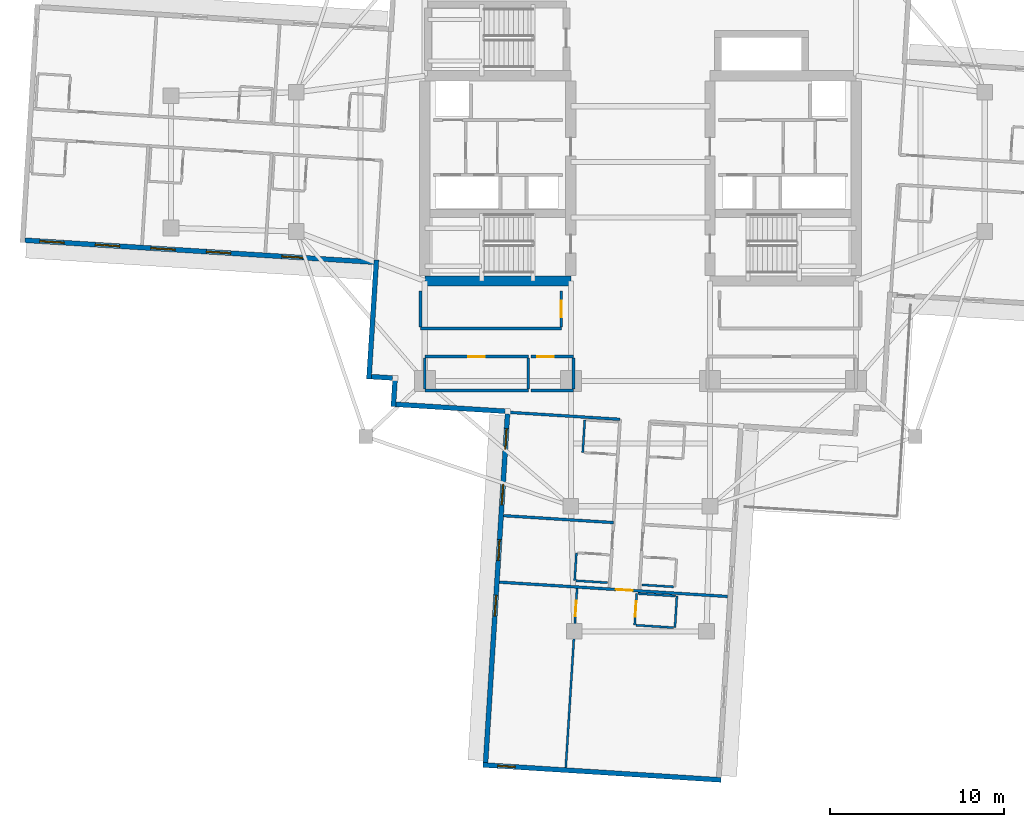
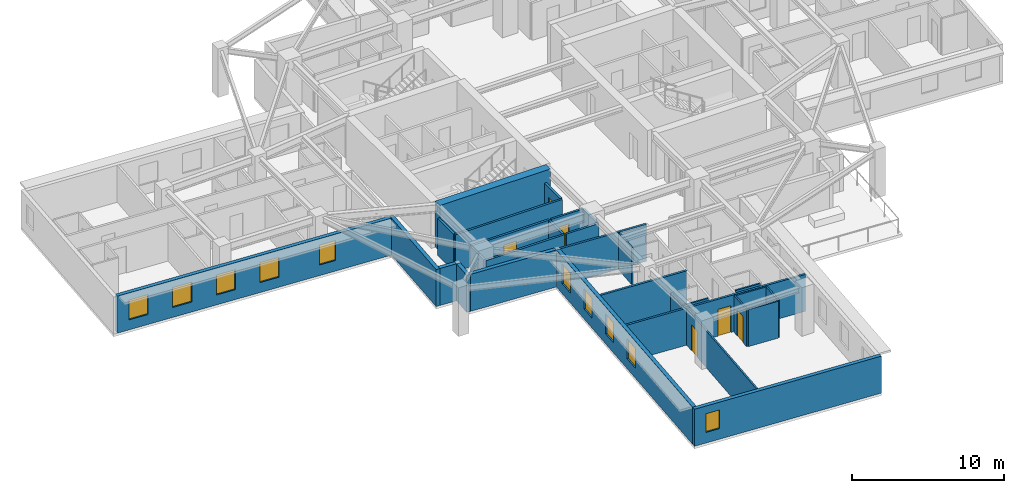
# One storey, part 3 of 14: 30 walls, 10 windows, 6 doors, 16 openings.
"""IFC4 building model written with IfcOpenShell, lengths in metres."""

from ifc_helpers import new_model, si_unit, direction, frame, frame_2d, origin, place, context, subcontext, project, spatial, rectangle, extrude, material, layer, layer_set, type_object, element, fill, save


model = new_model("IFC4")

# Units and contexts
model_context = context("Model", 3, precision=1e-05, world=origin(), true_north=direction((0.0, 1.0)))
body_context = subcontext(model_context, "Body", "Model", "MODEL_VIEW")
ifc_project = project(units=[si_unit("LENGTHUNIT", "METRE"), si_unit("AREAUNIT", "SQUARE_METRE"), si_unit("VOLUMEUNIT", "CUBIC_METRE"), si_unit("PLANEANGLEUNIT", "RADIAN"), si_unit("MASSUNIT", "GRAM", prefix="KILO")], contexts=[model_context])

# Site, building, storey
site_placement = place(None, origin())
site = spatial("IfcSite", under=ifc_project, at=site_placement, CompositionType="ELEMENT")
building_placement = place(site_placement, origin())
building = spatial("IfcBuilding", under=site, at=building_placement, Name="Qingluan Cross Belvedere", CompositionType="ELEMENT")
storey_placement = place(building_placement, frame((0.0, 0.0, 168.300048828125)))
storey = spatial("IfcBuildingStorey", under=building, at=storey_placement, Name="L42", CompositionType="ELEMENT", Elevation=168.300048828125)

# Walls
ifc_material_1 = material(Name="Concrete C60", Category="concrete")
ifc_layer_1 = layer(ifc_material_1, 0.60009765625, Name="CoreShearWall_600")
ifc_layer_set_1 = layer_set([ifc_layer_1], Name="Concrete C60")
wall_type_1 = type_object("IfcWallType", Name="CoreShearWall_600", PredefinedType="SHEAR", material=ifc_layer_set_1)
wall_1_placement = place(storey_placement, frame((-12.39990234375, -6.85009765625, 0.0), z_axis=(0.0, 0.0, 1.0), x_axis=(1.0, 0.0, 0.0)))
element("IfcWall", 1, at=wall_1_placement, inside=storey, type_object=wall_type_1, Name="Split core W shear wall L42-S", PredefinedType="SHEAR", context=body_context, shape_type="SweptSolid", body=[
    extrude(rectangle(XDim=8.39990234375, YDim=0.60009765625, at=frame_2d((4.199951171875, 0.0))), origin(), (0.0, 0.0, 1.0), 3.699951171875),
])
ifc_material_2 = material(Name="Gypsum plasterboard on steel stud acoustic partition", Category="steel")
ifc_layer_2 = layer(ifc_material_2, 0.159912109375, Name="CorridorPartition_160")
ifc_layer_set_2 = layer_set([ifc_layer_2], Name="Gypsum plasterboard on steel stud acoustic partition")
wall_type_2 = type_object("IfcWallType", Name="CorridorPartition_160", PredefinedType="PARTITIONING", material=ifc_layer_set_2)
wall_2_placement = place(storey_placement, frame((-12.39990234375, -13.14990234375, 0.0), z_axis=(0.0, 0.0, 1.0), x_axis=(1.0, 0.0, 0.0)))
element("IfcWall", 2, at=wall_2_placement, inside=storey, type_object=wall_type_2, Name="Partition L42:q_sw1:S", PredefinedType="PARTITIONING", context=body_context, shape_type="SweptSolid", body=[
    extrude(rectangle(XDim=5.949951171875, YDim=0.159912109375, at=frame_2d((2.97509765625, 0.0))), origin(), (0.0, 0.0, 1.0), 2.9599609375),
])

# Wall, opening, door
wall_3_placement = place(storey_placement, frame((-12.39990234375, -11.199951171875, 0.0), z_axis=(0.0, 0.0, 1.0), x_axis=(1.0, 0.0, 0.0)))
wall_3 = element("IfcWall", 3, at=wall_3_placement, inside=storey, type_object=wall_type_2, Name="Partition L42:q_sw1:N", PredefinedType="PARTITIONING", context=body_context, shape_type="SweptSolid", body=[
    extrude(rectangle(XDim=5.949951171875, YDim=0.159912109375, at=frame_2d((2.97509765625, 0.0))), origin(), (0.0, 0.0, 1.0), 2.9599609375),
])
opening_1_placement = place(wall_3_placement, frame((2.4951171875, 0.0, 0.0)))
opening_1 = element("IfcOpeningElement", 4, at=opening_1_placement, cuts=wall_3, Name="Opening GD-10", PredefinedType="OPENING", context=body_context, shape_type="SweptSolid", body=[
    extrude(rectangle(XDim=0.9599609375, YDim=2.14990234375, at=frame_2d((0.47998046875, 1.074951171875))), frame((0.0, 0.08984375, 0.0), z_axis=(0.0, -1.0, 0.0), x_axis=(1.0, 0.0, 0.0)), (0.0, 0.0, 1.0), 0.179931640625),
])
ifc_material_3 = material(Name="Timber oak fire-rated acoustic guestroom door", Category="wood")
door_type_1 = type_object("IfcDoorType", Name="GuestEntryDoor_FD60", OperationType="NOTDEFINED", PredefinedType="DOOR", material=ifc_material_3)
door_1_placement = place(opening_1_placement, origin())
door_1 = element("IfcDoor", 5, at=door_1_placement, inside=storey, type_object=door_type_1, Name="Massage treatment room L42 door", OperationType="SINGLE_SWING_LEFT", OverallHeight=2.14990234375, OverallWidth=0.9599609375, PredefinedType="DOOR", context=body_context, shape_type="SweptSolid", body=[
    extrude(rectangle(XDim=0.9599609375, YDim=2.14990234375, at=frame_2d((0.47998046875, 1.074951171875))), frame((0.0, 0.02490234375, 0.0), z_axis=(0.0, -1.0, 0.0), x_axis=(1.0, 0.0, 0.0)), (0.0, 0.0, 1.0), 0.050048828125),
])
fill(opening_1, door_1)

# Walls
for number, where, z_axis, x_axis, name in (
    (6, (-12.39990234375, -13.06494140625, 0.0), (0.0, 0.0, 1.0), (0.0, 1.0, 0.0), "Partition L42:q_sw1:W"),
    (7, (-6.449951171875, -13.06494140625, 0.0), (0.0, 0.0, 1.0), (0.0, 1.0, 0.0), "Partition L42:q_sw1:E"),
):
    element("IfcWall", number, at=place(storey_placement, frame(where, z_axis=z_axis, x_axis=x_axis)), inside=storey, type_object=wall_type_2, Name=name, PredefinedType="PARTITIONING", context=body_context, shape_type="SweptSolid", body=[
        extrude(rectangle(XDim=1.780029296875, YDim=0.159912109375, at=frame_2d((0.89013671875, 0.0))), origin(), (0.0, 0.0, 1.0), 2.9599609375),
    ])
wall_4_placement = place(storey_placement, frame((-6.2900390625, -13.14990234375, 0.0), z_axis=(0.0, 0.0, 1.0), x_axis=(1.0, 0.0, 0.0)))
element("IfcWall", 8, at=wall_4_placement, inside=storey, type_object=wall_type_2, Name="Partition L42:q_sw2:S", PredefinedType="PARTITIONING", context=body_context, shape_type="SweptSolid", body=[
    extrude(rectangle(XDim=2.43994140625, YDim=0.159912109375, at=frame_2d((1.219970703125, 0.0))), origin(), (0.0, 0.0, 1.0), 2.9599609375),
])

# Wall, opening, door
wall_5_placement = place(storey_placement, frame((-6.2900390625, -11.199951171875, 0.0), z_axis=(0.0, 0.0, 1.0), x_axis=(1.0, 0.0, 0.0)))
wall_5 = element("IfcWall", 9, at=wall_5_placement, inside=storey, type_object=wall_type_2, Name="Partition L42:q_sw2:N", PredefinedType="PARTITIONING", context=body_context, shape_type="SweptSolid", body=[
    extrude(rectangle(XDim=2.43994140625, YDim=0.159912109375, at=frame_2d((1.219970703125, 0.0))), origin(), (0.0, 0.0, 1.0), 2.9599609375),
])
opening_2_placement = place(wall_5_placement, frame((0.35009765625, 0.0, 0.0)))
opening_2 = element("IfcOpeningElement", 10, at=opening_2_placement, cuts=wall_5, Name="Opening GD-10", PredefinedType="OPENING", context=body_context, shape_type="SweptSolid", body=[
    extrude(rectangle(XDim=0.9599609375, YDim=2.14990234375, at=frame_2d((0.47998046875, 1.074951171875))), frame((0.0, 0.08984375, 0.0), z_axis=(0.0, -1.0, 0.0), x_axis=(1.0, 0.0, 0.0)), (0.0, 0.0, 1.0), 0.179931640625),
])
door_2_placement = place(opening_2_placement, origin())
door_2 = element("IfcDoor", 11, at=door_2_placement, inside=storey, type_object=door_type_1, Name="Southwest reading room L42 door", OperationType="SINGLE_SWING_RIGHT", OverallHeight=2.14990234375, OverallWidth=0.9599609375, PredefinedType="DOOR", context=body_context, shape_type="SweptSolid", body=[
    extrude(rectangle(XDim=0.9599609375, YDim=2.14990234375, at=frame_2d((0.47998046875, 1.074951171875))), frame((0.0, 0.02490234375, 0.0), z_axis=(0.0, -1.0, 0.0), x_axis=(1.0, 0.0, 0.0)), (0.0, 0.0, 1.0), 0.050048828125),
])
fill(opening_2, door_2)

# Walls
wall_6_placement = place(storey_placement, frame((-3.85009765625, -13.06494140625, 0.0), z_axis=(0.0, 0.0, 1.0), x_axis=(0.0, 1.0, 0.0)))
element("IfcWall", 12, at=wall_6_placement, inside=storey, type_object=wall_type_2, Name="Partition L42:q_sw2:E", PredefinedType="PARTITIONING", context=body_context, shape_type="SweptSolid", body=[
    extrude(rectangle(XDim=1.780029296875, YDim=0.159912109375, at=frame_2d((0.89013671875, 0.0))), origin(), (0.0, 0.0, 1.0), 2.9599609375),
])
wall_7_placement = place(storey_placement, frame((-12.64990234375, -9.580078125, 0.0), z_axis=(0.0, 0.0, 1.0), x_axis=(1.0, 0.0, 0.0)))
element("IfcWall", 13, at=wall_7_placement, inside=storey, type_object=wall_type_2, Name="Partition L42:rec_st4_w:S", PredefinedType="PARTITIONING", context=body_context, shape_type="SweptSolid", body=[
    extrude(rectangle(XDim=8.099853515625, YDim=0.159912109375, at=frame_2d((4.0498046875, 0.0))), origin(), (0.0, 0.0, 1.0), 2.9599609375),
])
wall_8_placement = place(storey_placement, frame((-12.64990234375, -9.4951171875, 0.0), z_axis=(0.0, 0.0, 1.0), x_axis=(0.0, 1.0, 0.0)))
element("IfcWall", 14, at=wall_8_placement, inside=storey, type_object=wall_type_2, Name="Partition L42:rec_st4_w:W", PredefinedType="PARTITIONING", context=body_context, shape_type="SweptSolid", body=[
    extrude(rectangle(XDim=2.06005859375, YDim=0.159912109375, at=frame_2d((1.030029296875, 0.0))), origin(), (0.0, 0.0, 1.0), 2.9599609375),
])

# Wall, opening, door
wall_9_placement = place(storey_placement, frame((-4.550048828125, -9.4951171875, 0.0), z_axis=(0.0, 0.0, 1.0), x_axis=(0.0, 1.0, 0.0)))
wall_9 = element("IfcWall", 15, at=wall_9_placement, inside=storey, type_object=wall_type_2, Name="Partition L42:rec_st4_w:E", PredefinedType="PARTITIONING", context=body_context, shape_type="SweptSolid", body=[
    extrude(rectangle(XDim=2.06005859375, YDim=0.159912109375, at=frame_2d((1.030029296875, 0.0))), origin(), (0.0, 0.0, 1.0), 2.9599609375),
])
opening_3_placement = place(wall_9_placement, frame((0.550048828125, 0.0, 0.0)))
opening_3 = element("IfcOpeningElement", 16, at=opening_3_placement, cuts=wall_9, Name="Opening GD-10", PredefinedType="OPENING", context=body_context, shape_type="SweptSolid", body=[
    extrude(rectangle(XDim=0.9599609375, YDim=2.14990234375, at=frame_2d((0.47998046875, 1.074951171875))), frame((0.0, 0.08984375, 0.0), z_axis=(0.0, -1.0, 0.0), x_axis=(1.0, 0.0, 0.0)), (0.0, 0.0, 1.0), 0.179931640625),
])
door_3_placement = place(opening_3_placement, origin())
door_3 = element("IfcDoor", 17, at=door_3_placement, inside=storey, type_object=door_type_1, Name="Southwest club reading room L42 door", OperationType="SINGLE_SWING_LEFT", OverallHeight=2.14990234375, OverallWidth=0.9599609375, PredefinedType="DOOR", context=body_context, shape_type="SweptSolid", body=[
    extrude(rectangle(XDim=0.9599609375, YDim=2.14990234375, at=frame_2d((0.47998046875, 1.074951171875))), frame((0.0, 0.02490234375, 0.0), z_axis=(0.0, -1.0, 0.0), x_axis=(1.0, 0.0, 0.0)), (0.0, 0.0, 1.0), 0.050048828125),
])
fill(opening_3, door_3)

# Walls
wall_10_placement = place(storey_placement, frame((-1.172119140625, -14.8056640625, 0.0), z_axis=(0.0, 0.0, 1.0), x_axis=(-0.998025657815, 0.06280753413, 0.0)))
element("IfcWall", 18, at=wall_10_placement, inside=storey, type_object=wall_type_2, Name="Partition L42:S:s1", PredefinedType="PARTITIONING", context=body_context, shape_type="SweptSolid", body=[
    extrude(rectangle(XDim=6.479736328125, YDim=0.159912109375, at=frame_2d((3.23974609375, 0.0))), origin(), (0.0, 0.0, 1.0), 2.9599609375),
])
wall_11_placement = place(storey_placement, frame((-1.545654296875, -20.743896484375, 0.0), z_axis=(0.0, 0.0, 1.0), x_axis=(-0.998025479614, 0.06281036572, 0.0)))
element("IfcWall", 19, at=wall_11_placement, inside=storey, type_object=wall_type_2, Name="Partition L42:S:d1_0", PredefinedType="PARTITIONING", context=body_context, shape_type="SweptSolid", body=[
    extrude(rectangle(XDim=6.331787109375, YDim=0.159912109375, at=frame_2d((3.166015625, 0.0))), origin(), (0.0, 0.0, 1.0), 2.9599609375),
])

# Wall, opening, door
wall_12_placement = place(storey_placement, frame((-8.10546875, -24.168701171875, 0.0), z_axis=(0.0, 0.0, 1.0), x_axis=(0.998026109115, -0.062800362452, 0.0)))
wall_12 = element("IfcWall", 20, at=wall_12_placement, inside=storey, type_object=wall_type_2, Name="Partition L42:Scap:in", PredefinedType="PARTITIONING", context=body_context, shape_type="SweptSolid", body=[
    extrude(rectangle(XDim=13.143798828125, YDim=0.159912109375, at=frame_2d((6.57177734375, 0.0))), origin(), (0.0, 0.0, 1.0), 2.9599609375),
])
opening_4_placement = place(wall_12_placement, frame((6.7119140625, 0.0, 0.0)))
opening_4 = element("IfcOpeningElement", 21, at=opening_4_placement, cuts=wall_12, Name="Opening GD-10", PredefinedType="OPENING", context=body_context, shape_type="SweptSolid", body=[
    extrude(rectangle(XDim=0.9599609375, YDim=2.14990234375, at=frame_2d((0.47998046875, 1.074951171875))), frame((0.0, 0.08984375, 0.0), z_axis=(0.0, -1.0, 0.0), x_axis=(1.0, 0.0, 0.0)), (0.0, 0.0, 1.0), 0.179931640625),
])
door_4_placement = place(opening_4_placement, origin())
door_4 = element("IfcDoor", 22, at=door_4_placement, inside=storey, type_object=door_type_1, Name="Horizon corner suite door L42S", OperationType="SINGLE_SWING_LEFT", OverallHeight=2.14990234375, OverallWidth=0.9599609375, PredefinedType="DOOR", context=body_context, shape_type="SweptSolid", body=[
    extrude(rectangle(XDim=0.9599609375, YDim=2.14990234375, at=frame_2d((0.47998046875, 1.074951171875))), frame((0.0, 0.02490234375, 0.0), z_axis=(0.0, -1.0, 0.0), x_axis=(1.0, 0.0, 0.0)), (0.0, 0.0, 1.0), 0.050048828125),
])
fill(opening_4, door_4)

# Walls
ifc_material_4 = material(Name="Moisture-resistant gypsum board lining")
ifc_layer_3 = layer(ifc_material_4, 0.1201171875, Name="EnsuiteWetPartition_120")
ifc_layer_set_3 = layer_set([ifc_layer_3], Name="Moisture-resistant gypsum board lining")
wall_type_3 = type_object("IfcWallType", Name="EnsuiteWetPartition_120", PredefinedType="PARTITIONING", material=ifc_layer_set_3)
wall_13_placement = place(storey_placement, frame((0.093017578125, -24.32373046875, 0.0), z_axis=(0.0, 0.0, 1.0), x_axis=(0.998026915151, -0.062787551592, 0.0)))
element("IfcWall", 23, at=wall_13_placement, inside=storey, type_object=wall_type_3, Name="Partition L42:S:bw0_1", PredefinedType="PARTITIONING", context=body_context, shape_type="SweptSolid", body=[
    extrude(rectangle(XDim=1.81982421875, YDim=0.1201171875, at=frame_2d((0.909912109375, 0.0))), origin(), (0.0, 0.0, 1.0), 2.9599609375),
])
wall_14_placement = place(storey_placement, frame((-3.202880859375, -14.838134765625, 0.0), z_axis=(0.0, 0.0, 1.0), x_axis=(-0.062847152131, -0.998023163794, 0.0)))
element("IfcWall", 24, at=wall_14_placement, inside=storey, type_object=wall_type_3, Name="Partition L42:S:bc1_0", PredefinedType="PARTITIONING", context=body_context, shape_type="SweptSolid", body=[
    extrude(rectangle(XDim=1.880126953125, YDim=0.1201171875, at=frame_2d((0.93994140625, 0.0))), origin(), (0.0, 0.0, 1.0), 2.9599609375),
])
wall_15_placement = place(storey_placement, frame((-3.719482421875, -24.083984375, 0.0), z_axis=(0.0, 0.0, 1.0), x_axis=(0.998026915151, -0.062787551592, 0.0)))
element("IfcWall", 25, at=wall_15_placement, inside=storey, type_object=wall_type_3, Name="Partition L42:S:bw1_1", PredefinedType="PARTITIONING", context=body_context, shape_type="SweptSolid", body=[
    extrude(rectangle(XDim=1.81982421875, YDim=0.1201171875, at=frame_2d((0.909912109375, 0.0))), origin(), (0.0, 0.0, 1.0), 2.9599609375),
])
wall_16_placement = place(storey_placement, frame((-3.68408203125, -22.48291015625, 0.0), z_axis=(0.0, 0.0, 1.0), x_axis=(-0.06271075472, -0.998031743605, 0.0)))
element("IfcWall", 26, at=wall_16_placement, inside=storey, type_object=wall_type_3, Name="Partition L42:S:bc1_1", PredefinedType="PARTITIONING", context=body_context, shape_type="SweptSolid", body=[
    extrude(rectangle(XDim=1.60009765625, YDim=0.1201171875, at=frame_2d((0.800048828125, 0.0))), origin(), (0.0, 0.0, 1.0), 2.9599609375),
])

# Wall, opening, door
wall_17_placement = place(storey_placement, frame((-3.64794921875, -24.539306640625, 0.0), z_axis=(0.0, 0.0, 1.0), x_axis=(-0.062786562543, -0.998026977373, 0.0)))
wall_17 = element("IfcWall", 27, at=wall_17_placement, inside=storey, type_object=wall_type_3, Name="Partition L42:Scap:m2", PredefinedType="PARTITIONING", context=body_context, shape_type="SweptSolid", body=[
    extrude(rectangle(XDim=10.31201171875, YDim=0.1201171875, at=frame_2d((5.156005859375, 0.0))), origin(), (0.0, 0.0, 1.0), 2.9599609375),
])
opening_5_placement = place(wall_17_placement, frame((0.699951171875, 0.0, 0.0)))
opening_5 = element("IfcOpeningElement", 28, at=opening_5_placement, cuts=wall_17, Name="Opening BD-89", PredefinedType="OPENING", context=body_context, shape_type="SweptSolid", body=[
    extrude(rectangle(XDim=0.89990234375, YDim=2.10009765625, at=frame_2d((0.449951171875, 1.050048828125))), frame((0.0, 0.070068359375, 0.0), z_axis=(0.0, -1.0, 0.0), x_axis=(1.0, 0.0, 0.0)), (0.0, 0.0, 1.0), 0.14013671875),
])
ifc_material_5 = material(Name="Timber acoustic study door", Category="wood")
door_type_2 = type_object("IfcDoorType", Name="SuiteStudyDoor_900", OperationType="NOTDEFINED", PredefinedType="DOOR", material=ifc_material_5)
door_5_placement = place(opening_5_placement, origin())
door_5 = element("IfcDoor", 29, at=door_5_placement, inside=storey, type_object=door_type_2, Name="Suite private study door L42S", OperationType="SINGLE_SWING_LEFT", OverallHeight=2.10009765625, OverallWidth=0.89990234375, PredefinedType="DOOR", context=body_context, shape_type="SweptSolid", body=[
    extrude(rectangle(XDim=0.89990234375, YDim=2.10009765625, at=frame_2d((0.449951171875, 1.050048828125))), frame((0.0, 0.02490234375, 0.0), z_axis=(0.0, -1.0, 0.0), x_axis=(1.0, 0.0, 0.0)), (0.0, 0.0, 1.0), 0.050048828125),
])
fill(opening_5, door_5)

wall_18_placement = place(storey_placement, frame((-0.21923828125, -24.8251953125, 0.0), z_axis=(0.0, 0.0, 1.0), x_axis=(-0.062779145668, -0.998027443946, 0.0)))
wall_18 = element("IfcWall", 30, at=wall_18_placement, inside=storey, type_object=wall_type_3, Name="Partition L42:Scap:b2s", PredefinedType="PARTITIONING", context=body_context, shape_type="SweptSolid", body=[
    extrude(rectangle(XDim=1.820068359375, YDim=0.1201171875, at=frame_2d((0.91015625, 0.0))), origin(), (0.0, 0.0, 1.0), 2.9599609375),
])
opening_6_placement = place(wall_18_placement, frame((0.449951171875, 0.0, 0.0)))
opening_6 = element("IfcOpeningElement", 31, at=opening_6_placement, cuts=wall_18, Name="Opening BD-09", PredefinedType="OPENING", context=body_context, shape_type="SweptSolid", body=[
    extrude(rectangle(XDim=0.8798828125, YDim=2.10009765625, at=frame_2d((0.43994140625, 1.050048828125))), frame((0.0, 0.070068359375, 0.0), z_axis=(0.0, -1.0, 0.0), x_axis=(1.0, 0.0, 0.0)), (0.0, 0.0, 1.0), 0.14013671875),
])
ifc_material_6 = material(Name="Moisture-sealed timber en-suite door", Category="wood")
door_type_3 = type_object("IfcDoorType", Name="BathroomDoor_880", OperationType="NOTDEFINED", PredefinedType="DOOR", material=ifc_material_6)
door_6_placement = place(opening_6_placement, origin())
door_6 = element("IfcDoor", 32, at=door_6_placement, inside=storey, type_object=door_type_3, Name="En-suite bathroom door L42S", OperationType="SINGLE_SWING_RIGHT", OverallHeight=2.10009765625, OverallWidth=0.8798828125, PredefinedType="DOOR", context=body_context, shape_type="SweptSolid", body=[
    extrude(rectangle(XDim=0.8798828125, YDim=2.10009765625, at=frame_2d((0.43994140625, 1.050048828125))), frame((0.0, 0.02490234375, 0.0), z_axis=(0.0, -1.0, 0.0), x_axis=(1.0, 0.0, 0.0)), (0.0, 0.0, 1.0), 0.050048828125),
])
fill(opening_6, door_6)

# Walls
wall_19_placement = place(storey_placement, frame((2.09619140625, -24.970947265625, 0.0), z_axis=(0.0, 0.0, 1.0), x_axis=(-0.062779145668, -0.998027443946, 0.0)))
element("IfcWall", 33, at=wall_19_placement, inside=storey, type_object=wall_type_3, Name="Partition L42:Scap:b2b", PredefinedType="PARTITIONING", context=body_context, shape_type="SweptSolid", body=[
    extrude(rectangle(XDim=1.820068359375, YDim=0.1201171875, at=frame_2d((0.91015625, 0.0))), origin(), (0.0, 0.0, 1.0), 2.9599609375),
])
for number, where, z_axis, x_axis, name in (
    (34, (-0.1494140625, -24.82958984375, 0.0), (0.0, 0.0, 1.0), (0.998024591026, -0.062824483344, 0.0), "Partition L42:Scap:b2a"),
    (35, (-0.263671875, -26.64599609375, 0.0), (0.0, 0.0, 1.0), (0.998024591026, -0.062824483344, 0.0), "Partition L42:Scap:b2n"),
):
    element("IfcWall", number, at=place(storey_placement, frame(where, z_axis=z_axis, x_axis=x_axis)), inside=storey, type_object=wall_type_3, Name=name, PredefinedType="PARTITIONING", context=body_context, shape_type="SweptSolid", body=[
        extrude(rectangle(XDim=2.18017578125, YDim=0.1201171875, at=frame_2d((1.090087890625, 0.0))), origin(), (0.0, 0.0, 1.0), 2.9599609375),
    ])

# Wall, openings, windows
ifc_material_7 = material(Name="Precast concrete C45", Category="concrete")
ifc_layer_4 = layer(ifc_material_7, 0.280029296875, Name="PrecastFacadeWall_280")
ifc_layer_set_4 = layer_set([ifc_layer_4], Name="Precast concrete C45")
wall_type_4 = type_object("IfcWallType", Name="PrecastFacadeWall_280", PredefinedType="STANDARD", material=ifc_layer_set_4)
wall_20_placement = place(storey_placement, frame((-35.392822265625, -4.506591796875, 0.0), z_axis=(0.0, 0.0, 1.0), x_axis=(0.998027116198, -0.062784355807, 0.0)))
wall_20 = element("IfcWall", 36, at=wall_20_placement, inside=storey, type_object=wall_type_4, Name="Facade wall L42-WB", PredefinedType="STANDARD", context=body_context, shape_type="SweptSolid", body=[
    extrude(rectangle(XDim=20.099853515625, YDim=0.280029296875, at=frame_2d((10.0498046875, 0.0))), origin(), (0.0, 0.0, 1.0), 2.969970703125),
])
opening_7_placement = place(wall_20_placement, frame((0.85009765625, 0.0, 0.800048828125)))
opening_7 = element("IfcOpeningElement", 37, at=opening_7_placement, cuts=wall_20, Name="Opening W-01", PredefinedType="OPENING", context=body_context, shape_type="SweptSolid", body=[
    extrude(rectangle(XDim=1.39990234375, YDim=1.60009765625, at=frame_2d((0.699951171875, 0.800048828125))), frame((0.0, 0.14990234375, 0.0), z_axis=(0.0, -1.0, 0.0), x_axis=(1.0, 0.0, 0.0)), (0.0, 0.0, 1.0), 0.300048828125),
])
opening_8_placement = place(wall_20_placement, frame((4.050048828125, 0.0, 0.800048828125)))
opening_8 = element("IfcOpeningElement", 38, at=opening_8_placement, cuts=wall_20, Name="Opening W-01", PredefinedType="OPENING", context=body_context, shape_type="SweptSolid", body=[
    extrude(rectangle(XDim=1.39990234375, YDim=1.60009765625, at=frame_2d((0.699951171875, 0.800048828125))), frame((0.0, 0.14990234375, 0.0), z_axis=(0.0, -1.0, 0.0), x_axis=(1.0, 0.0, 0.0)), (0.0, 0.0, 1.0), 0.300048828125),
])
opening_9_placement = place(wall_20_placement, frame((7.25, 0.0, 0.800048828125)))
opening_9 = element("IfcOpeningElement", 39, at=opening_9_placement, cuts=wall_20, Name="Opening W-01", PredefinedType="OPENING", context=body_context, shape_type="SweptSolid", body=[
    extrude(rectangle(XDim=1.39990234375, YDim=1.60009765625, at=frame_2d((0.699951171875, 0.800048828125))), frame((0.0, 0.14990234375, 0.0), z_axis=(0.0, -1.0, 0.0), x_axis=(1.0, 0.0, 0.0)), (0.0, 0.0, 1.0), 0.300048828125),
])
opening_10_placement = place(wall_20_placement, frame((10.449951171875, 0.0, 0.800048828125)))
opening_10 = element("IfcOpeningElement", 40, at=opening_10_placement, cuts=wall_20, Name="Opening W-01", PredefinedType="OPENING", context=body_context, shape_type="SweptSolid", body=[
    extrude(rectangle(XDim=1.39990234375, YDim=1.60009765625, at=frame_2d((0.699951171875, 0.800048828125))), frame((0.0, 0.14990234375, 0.0), z_axis=(0.0, -1.0, 0.0), x_axis=(1.0, 0.0, 0.0)), (0.0, 0.0, 1.0), 0.300048828125),
])
opening_11_placement = place(wall_20_placement, frame((14.799072265625, 0.0, 0.85009765625)))
opening_11 = element("IfcOpeningElement", 41, at=opening_11_placement, cuts=wall_20, Name="Opening W-02", PredefinedType="OPENING", context=body_context, shape_type="SweptSolid", body=[
    extrude(rectangle(XDim=1.199951171875, YDim=1.60009765625, at=frame_2d((0.60009765625, 0.800048828125))), frame((0.0, 0.14990234375, 0.0), z_axis=(0.0, -1.0, 0.0), x_axis=(1.0, 0.0, 0.0)), (0.0, 0.0, 1.0), 0.300048828125),
])
ifc_material_8 = material(Name="Thermally broken triple Low-E glass in aluminium frame", Category="aluminium")
window_type_1 = type_object("IfcWindowType", Name="TriRibbonWin_1200x1600", PartitioningType="SINGLE_PANEL", PredefinedType="WINDOW", material=ifc_material_8)
window_1_placement = place(opening_11_placement, origin())
window_1 = element("IfcWindow", 42, at=window_1_placement, inside=storey, type_object=window_type_1, Name="Deluxe guest room 4208 daylight window", OverallHeight=1.60009765625, OverallWidth=1.199951171875, PartitioningType="SINGLE_PANEL", PredefinedType="WINDOW", context=body_context, shape_type="SweptSolid", body=[
    extrude(rectangle(XDim=1.199951171875, YDim=1.60009765625, at=frame_2d((0.60009765625, 0.800048828125))), frame((0.0, 0.030029296875, 0.0), z_axis=(0.0, -1.0, 0.0), x_axis=(1.0, 0.0, 0.0)), (0.0, 0.0, 1.0), 0.06005859375),
])
fill(opening_11, window_1)
ifc_material_9 = material(Name="Thermally broken triple Low-E glass in aluminium frame", Category="aluminium")
window_type_2 = type_object("IfcWindowType", Name="TriRibbonWin_1400x1600", PartitioningType="SINGLE_PANEL", PredefinedType="WINDOW", material=ifc_material_9)
window_2_placement = place(opening_7_placement, origin())
window_2 = element("IfcWindow", 43, at=window_2_placement, inside=storey, type_object=window_type_2, Name="Ribbon window L42-WB-1", OverallHeight=1.60009765625, OverallWidth=1.39990234375, PartitioningType="SINGLE_PANEL", PredefinedType="WINDOW", context=body_context, shape_type="SweptSolid", body=[
    extrude(rectangle(XDim=1.39990234375, YDim=1.60009765625, at=frame_2d((0.699951171875, 0.800048828125))), frame((0.0, 0.030029296875, 0.0), z_axis=(0.0, -1.0, 0.0), x_axis=(1.0, 0.0, 0.0)), (0.0, 0.0, 1.0), 0.06005859375),
])
fill(opening_7, window_2)
window_3_placement = place(opening_8_placement, origin())
window_3 = element("IfcWindow", 44, at=window_3_placement, inside=storey, type_object=window_type_2, Name="Ribbon window L42-WB-2", OverallHeight=1.60009765625, OverallWidth=1.39990234375, PartitioningType="SINGLE_PANEL", PredefinedType="WINDOW", context=body_context, shape_type="SweptSolid", body=[
    extrude(rectangle(XDim=1.39990234375, YDim=1.60009765625, at=frame_2d((0.699951171875, 0.800048828125))), frame((0.0, 0.030029296875, 0.0), z_axis=(0.0, -1.0, 0.0), x_axis=(1.0, 0.0, 0.0)), (0.0, 0.0, 1.0), 0.06005859375),
])
fill(opening_8, window_3)
window_4_placement = place(opening_9_placement, origin())
window_4 = element("IfcWindow", 45, at=window_4_placement, inside=storey, type_object=window_type_2, Name="Ribbon window L42-WB-3", OverallHeight=1.60009765625, OverallWidth=1.39990234375, PartitioningType="SINGLE_PANEL", PredefinedType="WINDOW", context=body_context, shape_type="SweptSolid", body=[
    extrude(rectangle(XDim=1.39990234375, YDim=1.60009765625, at=frame_2d((0.699951171875, 0.800048828125))), frame((0.0, 0.030029296875, 0.0), z_axis=(0.0, -1.0, 0.0), x_axis=(1.0, 0.0, 0.0)), (0.0, 0.0, 1.0), 0.06005859375),
])
fill(opening_9, window_4)
window_5_placement = place(opening_10_placement, origin())
window_5 = element("IfcWindow", 46, at=window_5_placement, inside=storey, type_object=window_type_2, Name="Ribbon window L42-WB-4", OverallHeight=1.60009765625, OverallWidth=1.39990234375, PartitioningType="SINGLE_PANEL", PredefinedType="WINDOW", context=body_context, shape_type="SweptSolid", body=[
    extrude(rectangle(XDim=1.39990234375, YDim=1.60009765625, at=frame_2d((0.699951171875, 0.800048828125))), frame((0.0, 0.030029296875, 0.0), z_axis=(0.0, -1.0, 0.0), x_axis=(1.0, 0.0, 0.0)), (0.0, 0.0, 1.0), 0.06005859375),
])
fill(opening_10, window_5)

wall_21_placement = place(storey_placement, frame((-7.644775390625, -14.488525390625, 0.0), z_axis=(0.0, 0.0, 1.0), x_axis=(-0.06279645424, -0.99802635503, 0.0)))
wall_21 = element("IfcWall", 47, at=wall_21_placement, inside=storey, type_object=wall_type_4, Name="Facade wall L42-SA", PredefinedType="STANDARD", context=body_context, shape_type="SweptSolid", body=[
    extrude(rectangle(XDim=20.099853515625, YDim=0.280029296875, at=frame_2d((10.0498046875, 0.0))), origin(), (0.0, 0.0, 1.0), 2.969970703125),
])
opening_12_placement = place(wall_21_placement, frame((0.85009765625, 0.0, 0.800048828125)))
opening_12 = element("IfcOpeningElement", 48, at=opening_12_placement, cuts=wall_21, Name="Opening W-02", PredefinedType="OPENING", context=body_context, shape_type="SweptSolid", body=[
    extrude(rectangle(XDim=1.199951171875, YDim=1.60009765625, at=frame_2d((0.60009765625, 0.800048828125))), frame((0.0, 0.14990234375, 0.0), z_axis=(0.0, -1.0, 0.0), x_axis=(1.0, 0.0, 0.0)), (0.0, 0.0, 1.0), 0.300048828125),
])
opening_13_placement = place(wall_21_placement, frame((4.050048828125, 0.0, 0.800048828125)))
opening_13 = element("IfcOpeningElement", 49, at=opening_13_placement, cuts=wall_21, Name="Opening W-02", PredefinedType="OPENING", context=body_context, shape_type="SweptSolid", body=[
    extrude(rectangle(XDim=1.199951171875, YDim=1.60009765625, at=frame_2d((0.60009765625, 0.800048828125))), frame((0.0, 0.14990234375, 0.0), z_axis=(0.0, -1.0, 0.0), x_axis=(1.0, 0.0, 0.0)), (0.0, 0.0, 1.0), 0.300048828125),
])
opening_14_placement = place(wall_21_placement, frame((7.25, 0.0, 0.800048828125)))
opening_14 = element("IfcOpeningElement", 50, at=opening_14_placement, cuts=wall_21, Name="Opening W-02", PredefinedType="OPENING", context=body_context, shape_type="SweptSolid", body=[
    extrude(rectangle(XDim=1.199951171875, YDim=1.60009765625, at=frame_2d((0.60009765625, 0.800048828125))), frame((0.0, 0.14990234375, 0.0), z_axis=(0.0, -1.0, 0.0), x_axis=(1.0, 0.0, 0.0)), (0.0, 0.0, 1.0), 0.300048828125),
])
opening_15_placement = place(wall_21_placement, frame((10.449951171875, 0.0, 0.800048828125)))
opening_15 = element("IfcOpeningElement", 51, at=opening_15_placement, cuts=wall_21, Name="Opening W-02", PredefinedType="OPENING", context=body_context, shape_type="SweptSolid", body=[
    extrude(rectangle(XDim=1.199951171875, YDim=1.60009765625, at=frame_2d((0.60009765625, 0.800048828125))), frame((0.0, 0.14990234375, 0.0), z_axis=(0.0, -1.0, 0.0), x_axis=(1.0, 0.0, 0.0)), (0.0, 0.0, 1.0), 0.300048828125),
])
window_6_placement = place(opening_12_placement, origin())
window_6 = element("IfcWindow", 52, at=window_6_placement, inside=storey, type_object=window_type_1, Name="Ribbon window L42-SA-1", OverallHeight=1.60009765625, OverallWidth=1.199951171875, PartitioningType="SINGLE_PANEL", PredefinedType="WINDOW", context=body_context, shape_type="SweptSolid", body=[
    extrude(rectangle(XDim=1.199951171875, YDim=1.60009765625, at=frame_2d((0.60009765625, 0.800048828125))), frame((0.0, 0.030029296875, 0.0), z_axis=(0.0, -1.0, 0.0), x_axis=(1.0, 0.0, 0.0)), (0.0, 0.0, 1.0), 0.06005859375),
])
fill(opening_12, window_6)
window_7_placement = place(opening_13_placement, origin())
window_7 = element("IfcWindow", 53, at=window_7_placement, inside=storey, type_object=window_type_1, Name="Ribbon window L42-SA-2", OverallHeight=1.60009765625, OverallWidth=1.199951171875, PartitioningType="SINGLE_PANEL", PredefinedType="WINDOW", context=body_context, shape_type="SweptSolid", body=[
    extrude(rectangle(XDim=1.199951171875, YDim=1.60009765625, at=frame_2d((0.60009765625, 0.800048828125))), frame((0.0, 0.030029296875, 0.0), z_axis=(0.0, -1.0, 0.0), x_axis=(1.0, 0.0, 0.0)), (0.0, 0.0, 1.0), 0.06005859375),
])
fill(opening_13, window_7)
window_8_placement = place(opening_14_placement, origin())
window_8 = element("IfcWindow", 54, at=window_8_placement, inside=storey, type_object=window_type_1, Name="Ribbon window L42-SA-3", OverallHeight=1.60009765625, OverallWidth=1.199951171875, PartitioningType="SINGLE_PANEL", PredefinedType="WINDOW", context=body_context, shape_type="SweptSolid", body=[
    extrude(rectangle(XDim=1.199951171875, YDim=1.60009765625, at=frame_2d((0.60009765625, 0.800048828125))), frame((0.0, 0.030029296875, 0.0), z_axis=(0.0, -1.0, 0.0), x_axis=(1.0, 0.0, 0.0)), (0.0, 0.0, 1.0), 0.06005859375),
])
fill(opening_14, window_8)
window_9_placement = place(opening_15_placement, origin())
window_9 = element("IfcWindow", 55, at=window_9_placement, inside=storey, type_object=window_type_1, Name="Ribbon window L42-SA-4", OverallHeight=1.60009765625, OverallWidth=1.199951171875, PartitioningType="SINGLE_PANEL", PredefinedType="WINDOW", context=body_context, shape_type="SweptSolid", body=[
    extrude(rectangle(XDim=1.199951171875, YDim=1.60009765625, at=frame_2d((0.60009765625, 0.800048828125))), frame((0.0, 0.030029296875, 0.0), z_axis=(0.0, -1.0, 0.0), x_axis=(1.0, 0.0, 0.0)), (0.0, 0.0, 1.0), 0.06005859375),
])
fill(opening_15, window_9)

# Wall, opening, window
wall_22_placement = place(storey_placement, frame((-9.055419921875, -34.6796875, 0.0), z_axis=(0.0, 0.0, 1.0), x_axis=(0.998026318072, -0.062797041623, 0.0)))
wall_22 = element("IfcWall", 56, at=wall_22_placement, inside=storey, type_object=wall_type_4, Name="Arm tip precast facade wall L42-S", PredefinedType="STANDARD", context=body_context, shape_type="SweptSolid", body=[
    extrude(rectangle(XDim=13.719970703125, YDim=0.280029296875, at=frame_2d((6.85986328125, 0.0))), origin(), (0.0, 0.0, 1.0), 2.969970703125),
])
opening_16_placement = place(wall_22_placement, frame((0.85009765625, 0.0, 0.85009765625)))
opening_16 = element("IfcOpeningElement", 57, at=opening_16_placement, cuts=wall_22, Name="Opening W-03", PredefinedType="OPENING", context=body_context, shape_type="SweptSolid", body=[
    extrude(rectangle(XDim=1.0, YDim=1.5, at=frame_2d((0.5, 0.75))), frame((0.0, 0.14990234375, 0.0), z_axis=(0.0, -1.0, 0.0), x_axis=(1.0, 0.0, 0.0)), (0.0, 0.0, 1.0), 0.300048828125),
])
ifc_material_10 = material(Name="Thermally broken triple Low-E glass in aluminium frame", Category="aluminium")
window_type_3 = type_object("IfcWindowType", Name="TriApexWin_1000x1500", PartitioningType="SINGLE_PANEL", PredefinedType="WINDOW", material=ifc_material_10)
window_10_placement = place(opening_16_placement, origin())
window_10 = element("IfcWindow", 58, at=window_10_placement, inside=storey, type_object=window_type_3, Name="Arm tip triangular window L42-S", OverallHeight=1.5, OverallWidth=1.0, PartitioningType="SINGLE_PANEL", PredefinedType="WINDOW", context=body_context, shape_type="SweptSolid", body=[
    extrude(rectangle(XDim=1.0, YDim=1.5, at=frame_2d((0.5, 0.75))), frame((0.0, 0.030029296875, 0.0), z_axis=(0.0, -1.0, 0.0), x_axis=(1.0, 0.0, 0.0)), (0.0, 0.0, 1.0), 0.06005859375),
])
fill(opening_16, window_10)

# Walls
wall_23_placement = place(storey_placement, frame((-15.18408203125, -5.6376953125, 0.0), z_axis=(0.0, 0.0, 1.0), x_axis=(-0.062779317195, -0.998027433156, 0.0)))
element("IfcWall", 59, at=wall_23_placement, inside=storey, type_object=wall_type_4, Name="Corner wall L42-SW1", PredefinedType="STANDARD", context=body_context, shape_type="SweptSolid", body=[
    extrude(rectangle(XDim=6.85986328125, YDim=0.280029296875, at=frame_2d((3.429931640625, 0.0))), origin(), (0.0, 0.0, 1.0), 2.969970703125),
])
wall_24_placement = place(storey_placement, frame((-15.46630859375, -12.353271484375, 0.0), z_axis=(0.0, 0.0, 1.0), x_axis=(0.998024450254, -0.062826719603, 0.0)))
element("IfcWall", 60, at=wall_24_placement, inside=storey, type_object=wall_type_4, Name="Corner wall L42-SW2", PredefinedType="STANDARD", context=body_context, shape_type="SweptSolid", body=[
    extrude(rectangle(XDim=1.22021484375, YDim=0.280029296875, at=frame_2d((0.610107421875, 0.0))), origin(), (0.0, 0.0, 1.0), 2.969970703125),
])
wall_25_placement = place(storey_placement, frame((-14.11767578125, -12.578369140625, 0.0), z_axis=(0.0, 0.0, 1.0), x_axis=(-0.062824119533, -0.998024613927, 0.0)))
element("IfcWall", 61, at=wall_25_placement, inside=storey, type_object=wall_type_4, Name="Corner wall L42-SW3", PredefinedType="STANDARD", context=body_context, shape_type="SweptSolid", body=[
    extrude(rectangle(XDim=1.5, YDim=0.280029296875, at=frame_2d((0.75, 0.0))), origin(), (0.0, 0.0, 1.0), 2.969970703125),
])
wall_26_placement = place(storey_placement, frame((-14.063232421875, -13.944580078125, 0.0), z_axis=(0.0, 0.0, 1.0), x_axis=(0.998027314704, -0.062781200242, 0.0)))
element("IfcWall", 62, at=wall_26_placement, inside=storey, type_object=wall_type_4, Name="Corner wall L42-SW4", PredefinedType="STANDARD", context=body_context, shape_type="SweptSolid", body=[
    extrude(rectangle(XDim=6.2998046875, YDim=0.280029296875, at=frame_2d((3.14990234375, 0.0))), origin(), (0.0, 0.0, 1.0), 2.969970703125),
])

save(model, "model.ifc")
